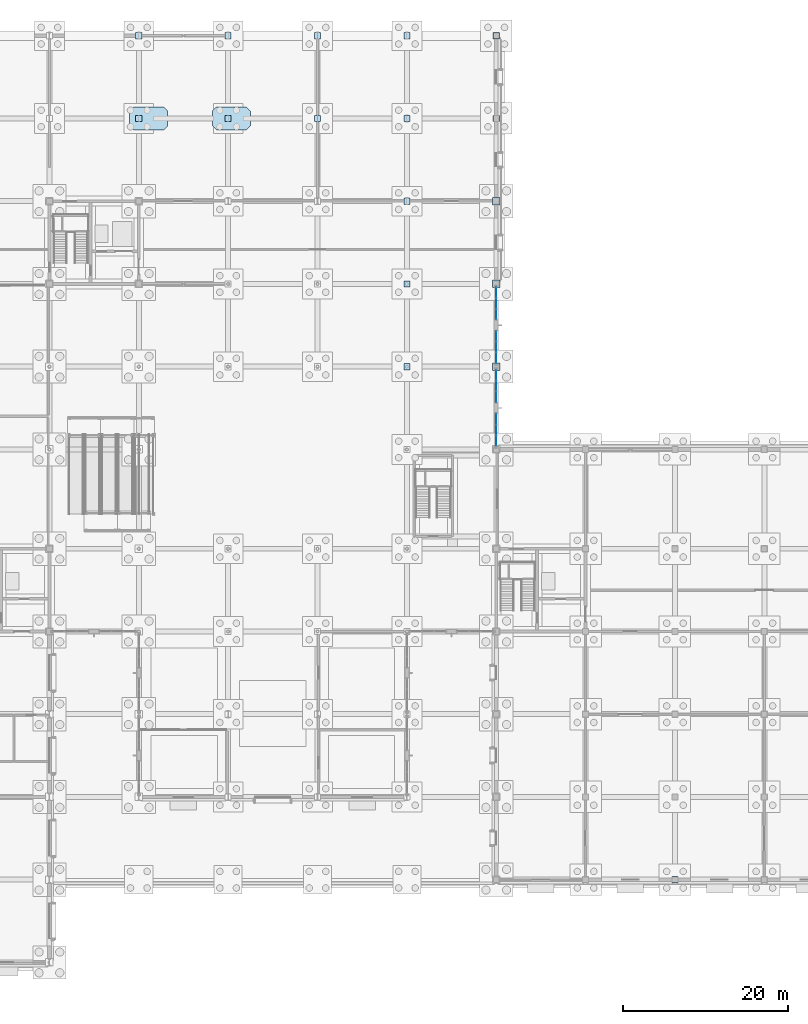
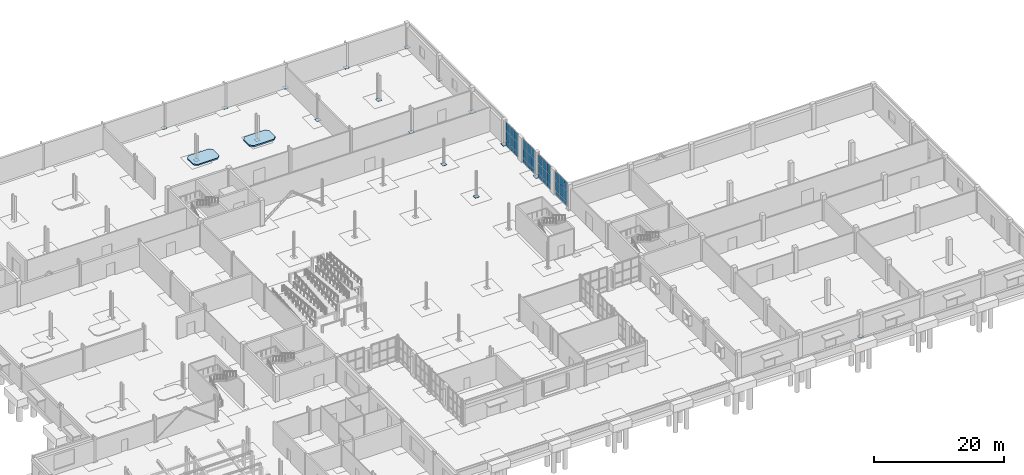
# One storey, part 44 of 73: 53 plates, 2 slabs, 4 elements without a shape of their own.
"""IFC4 building model written with IfcOpenShell, lengths in metres."""

from ifc_helpers import new_model, si_unit, direction, frame, origin, origin_2d, place, context, subcontext, project, spatial, polyline, rectangle, outline, extrude, material, layer, layer_set, type_object, element, aggregate, save


model = new_model("IFC4")

# Units and contexts
model_context = context("Model", 3, precision=1e-05, world=origin(), true_north=direction((0.0, 1.0)))
body_context = subcontext(model_context, "Body", "Model", "MODEL_VIEW")
ifc_project = project(units=[si_unit("LENGTHUNIT", "METRE"), si_unit("AREAUNIT", "SQUARE_METRE"), si_unit("VOLUMEUNIT", "CUBIC_METRE"), si_unit("PLANEANGLEUNIT", "RADIAN"), si_unit("MASSUNIT", "GRAM", prefix="KILO")], contexts=[model_context])

# Site, building, storey
site_placement = place(None, origin())
site = spatial("IfcSite", under=ifc_project, at=site_placement, CompositionType="ELEMENT")
building_placement = place(site_placement, origin())
building = spatial("IfcBuilding", under=site, at=building_placement, Name="Tasgan Crest Museum", CompositionType="ELEMENT")
storey_placement = place(building_placement, origin())
storey = spatial("IfcBuildingStorey", under=building, at=storey_placement, Name="L00", CompositionType="ELEMENT", Elevation=0.0)

# Curtain wall, plates
ifc_material_1 = material(Name="Triple-Glazed Aluminium Curtain Wall", Category="aluminium")
ifc_layer_1 = layer(ifc_material_1, 0.179931640625, Name="CW-DRUM-Y10-48")
ifc_layer_set_1 = layer_set([ifc_layer_1], Name="Triple-Glazed Aluminium Curtain Wall")
curtain_wall_type = type_object("IfcCurtainWallType", Name="CW-DRUM-Y10-48", PredefinedType="NOTDEFINED", material=ifc_layer_set_1)
curtain_wall_1_placement = place(storey_placement, origin())
curtain_wall_1 = element("IfcCurtainWall", 1, at=curtain_wall_1_placement, inside=storey, type_object=curtain_wall_type, Name="Curtain wall L00 013", PredefinedType="NOTDEFINED")
ifc_material_2 = material(Name="Insulated Spandrel Glass", Category="glass")
ifc_layer_2 = layer(ifc_material_2, 0.052001953125, Name="CW-PANEL-SPANDREL")
ifc_layer_set_2 = layer_set([ifc_layer_2], Name="Insulated Spandrel Glass")
plate_type_1 = type_object("IfcPlateType", Name="CW-PANEL-SPANDREL", PredefinedType="CURTAIN_PANEL", material=ifc_layer_set_2)
plate_1_placement = place(storey_placement, frame((108.0, 63.044921875, 0.06005859375), z_axis=(0.0, 0.0, 1.0), x_axis=(0.0, 1.0, 0.0)))
plate_1 = element("IfcPlate", 2, at=plate_1_placement, type_object=plate_type_1, Name="CW04 panel 1.1", PredefinedType="CURTAIN_PANEL", context=body_context, shape_type="SweptSolid", body=[
    extrude(rectangle(XDim=1.239990234375, YDim=0.028076171875, at=origin_2d()), origin(), (0.0, 0.0, 1.0), 0.81005859375),
])
plate_2_placement = place(storey_placement, frame((108.0, 64.360107421875, 0.06005859375), z_axis=(0.0, 0.0, 1.0), x_axis=(0.0, 1.0, 0.0)))
plate_2 = element("IfcPlate", 3, at=plate_2_placement, type_object=plate_type_1, Name="CW04 panel 2.1", PredefinedType="CURTAIN_PANEL", context=body_context, shape_type="SweptSolid", body=[
    extrude(rectangle(XDim=1.27001953125, YDim=0.028076171875, at=origin_2d()), origin(), (0.0, 0.0, 1.0), 0.81005859375),
])
plate_3_placement = place(storey_placement, frame((108.0, 65.675048828125, 0.06005859375), z_axis=(0.0, 0.0, 1.0), x_axis=(0.0, 1.0, 0.0)))
plate_3 = element("IfcPlate", 4, at=plate_3_placement, type_object=plate_type_1, Name="CW04 panel 3.1", PredefinedType="CURTAIN_PANEL", context=body_context, shape_type="SweptSolid", body=[
    extrude(rectangle(XDim=1.239990234375, YDim=0.028076171875, at=origin_2d()), origin(), (0.0, 0.0, 1.0), 0.81005859375),
])

curtain_wall_2_placement = place(storey_placement, origin())
curtain_wall_2 = element("IfcCurtainWall", 5, at=curtain_wall_2_placement, inside=storey, type_object=curtain_wall_type, Name="Curtain wall L00 014", PredefinedType="NOTDEFINED")
plate_4_placement = place(storey_placement, frame((108.0, 68.324951171875, 0.06005859375), z_axis=(0.0, 0.0, 1.0), x_axis=(0.0, 1.0, 0.0)))
plate_4 = element("IfcPlate", 6, at=plate_4_placement, type_object=plate_type_1, Name="CW04 panel 1.1", PredefinedType="CURTAIN_PANEL", context=body_context, shape_type="SweptSolid", body=[
    extrude(rectangle(XDim=1.239990234375, YDim=0.028076171875, at=origin_2d()), origin(), (0.0, 0.0, 1.0), 0.81005859375),
])
plate_5_placement = place(storey_placement, frame((108.0, 69.639892578125, 0.06005859375), z_axis=(0.0, 0.0, 1.0), x_axis=(0.0, 1.0, 0.0)))
plate_5 = element("IfcPlate", 7, at=plate_5_placement, type_object=plate_type_1, Name="CW04 panel 2.1", PredefinedType="CURTAIN_PANEL", context=body_context, shape_type="SweptSolid", body=[
    extrude(rectangle(XDim=1.27001953125, YDim=0.028076171875, at=origin_2d()), origin(), (0.0, 0.0, 1.0), 0.81005859375),
])
plate_6_placement = place(storey_placement, frame((108.0, 70.955078125, 0.06005859375), z_axis=(0.0, 0.0, 1.0), x_axis=(0.0, 1.0, 0.0)))
plate_6 = element("IfcPlate", 8, at=plate_6_placement, type_object=plate_type_1, Name="CW04 panel 3.1", PredefinedType="CURTAIN_PANEL", context=body_context, shape_type="SweptSolid", body=[
    extrude(rectangle(XDim=1.239990234375, YDim=0.028076171875, at=origin_2d()), origin(), (0.0, 0.0, 1.0), 0.81005859375),
])

curtain_wall_3_placement = place(storey_placement, origin())
curtain_wall_3 = element("IfcCurtainWall", 9, at=curtain_wall_3_placement, inside=storey, type_object=curtain_wall_type, Name="Curtain wall L00 015", PredefinedType="NOTDEFINED")
plate_7_placement = place(storey_placement, frame((108.0, 73.044921875, 0.06005859375), z_axis=(0.0, 0.0, 1.0), x_axis=(0.0, 1.0, 0.0)))
plate_7 = element("IfcPlate", 10, at=plate_7_placement, type_object=plate_type_1, Name="CW04 panel 1.1", PredefinedType="CURTAIN_PANEL", context=body_context, shape_type="SweptSolid", body=[
    extrude(rectangle(XDim=1.239990234375, YDim=0.028076171875, at=origin_2d()), origin(), (0.0, 0.0, 1.0), 0.81005859375),
])
plate_8_placement = place(storey_placement, frame((108.0, 74.360107421875, 0.06005859375), z_axis=(0.0, 0.0, 1.0), x_axis=(0.0, 1.0, 0.0)))
plate_8 = element("IfcPlate", 11, at=plate_8_placement, type_object=plate_type_1, Name="CW04 panel 2.1", PredefinedType="CURTAIN_PANEL", context=body_context, shape_type="SweptSolid", body=[
    extrude(rectangle(XDim=1.27001953125, YDim=0.028076171875, at=origin_2d()), origin(), (0.0, 0.0, 1.0), 0.81005859375),
])
plate_9_placement = place(storey_placement, frame((108.0, 75.675048828125, 0.06005859375), z_axis=(0.0, 0.0, 1.0), x_axis=(0.0, 1.0, 0.0)))
plate_9 = element("IfcPlate", 12, at=plate_9_placement, type_object=plate_type_1, Name="CW04 panel 3.1", PredefinedType="CURTAIN_PANEL", context=body_context, shape_type="SweptSolid", body=[
    extrude(rectangle(XDim=1.239990234375, YDim=0.028076171875, at=origin_2d()), origin(), (0.0, 0.0, 1.0), 0.81005859375),
])

curtain_wall_4_placement = place(storey_placement, origin())
curtain_wall_4 = element("IfcCurtainWall", 13, at=curtain_wall_4_placement, inside=storey, type_object=curtain_wall_type, Name="Curtain wall L00 016", PredefinedType="NOTDEFINED")
plate_10_placement = place(storey_placement, frame((108.0, 78.324951171875, 0.06005859375), z_axis=(0.0, 0.0, 1.0), x_axis=(0.0, 1.0, 0.0)))
plate_10 = element("IfcPlate", 14, at=plate_10_placement, type_object=plate_type_1, Name="CW04 panel 1.1", PredefinedType="CURTAIN_PANEL", context=body_context, shape_type="SweptSolid", body=[
    extrude(rectangle(XDim=1.239990234375, YDim=0.028076171875, at=origin_2d()), origin(), (0.0, 0.0, 1.0), 0.81005859375),
])
plate_11_placement = place(storey_placement, frame((108.0, 79.639892578125, 0.06005859375), z_axis=(0.0, 0.0, 1.0), x_axis=(0.0, 1.0, 0.0)))
plate_11 = element("IfcPlate", 15, at=plate_11_placement, type_object=plate_type_1, Name="CW04 panel 2.1", PredefinedType="CURTAIN_PANEL", context=body_context, shape_type="SweptSolid", body=[
    extrude(rectangle(XDim=1.27001953125, YDim=0.028076171875, at=origin_2d()), origin(), (0.0, 0.0, 1.0), 0.81005859375),
])
plate_12_placement = place(storey_placement, frame((108.0, 80.955078125, 0.06005859375), z_axis=(0.0, 0.0, 1.0), x_axis=(0.0, 1.0, 0.0)))
plate_12 = element("IfcPlate", 16, at=plate_12_placement, type_object=plate_type_1, Name="CW04 panel 3.1", PredefinedType="CURTAIN_PANEL", context=body_context, shape_type="SweptSolid", body=[
    extrude(rectangle(XDim=1.239990234375, YDim=0.028076171875, at=origin_2d()), origin(), (0.0, 0.0, 1.0), 0.81005859375),
])

# Plate
ifc_material_3 = material(Name="Low-E Triple Glazing", Category="glass")
ifc_layer_3 = layer(ifc_material_3, 0.0439453125, Name="CW-PANEL-TRIPLE")
ifc_layer_set_3 = layer_set([ifc_layer_3], Name="Low-E Triple Glazing")
plate_type_2 = type_object("IfcPlateType", Name="CW-PANEL-TRIPLE", PredefinedType="CURTAIN_PANEL", material=ifc_layer_set_3)
plate_13_placement = place(storey_placement, frame((108.0, 63.044921875, 0.93017578125), z_axis=(0.0, 0.0, 1.0), x_axis=(0.0, 1.0, 0.0)))
plate_13 = element("IfcPlate", 17, at=plate_13_placement, type_object=plate_type_2, Name="CW04 panel 1.2", PredefinedType="CURTAIN_PANEL", context=body_context, shape_type="SweptSolid", body=[
    extrude(rectangle(XDim=1.239990234375, YDim=0.028076171875, at=origin_2d()), origin(), (0.0, 0.0, 1.0), 1.840087890625),
])

plate_14_placement = place(storey_placement, frame((108.0, 63.044921875, 2.830078125), z_axis=(0.0, 0.0, 1.0), x_axis=(0.0, 1.0, 0.0)))
plate_14 = element("IfcPlate", 18, at=plate_14_placement, type_object=plate_type_2, Name="CW04 panel 1.3", PredefinedType="CURTAIN_PANEL", context=body_context, shape_type="SweptSolid", body=[
    extrude(rectangle(XDim=1.239990234375, YDim=0.028076171875, at=origin_2d()), origin(), (0.0, 0.0, 1.0), 1.669921875),
])

plate_15_placement = place(storey_placement, frame((108.0, 64.360107421875, 0.93017578125), z_axis=(0.0, 0.0, 1.0), x_axis=(0.0, 1.0, 0.0)))
plate_15 = element("IfcPlate", 19, at=plate_15_placement, type_object=plate_type_2, Name="CW04 panel 2.2", PredefinedType="CURTAIN_PANEL", context=body_context, shape_type="SweptSolid", body=[
    extrude(rectangle(XDim=1.27001953125, YDim=0.028076171875, at=origin_2d()), origin(), (0.0, 0.0, 1.0), 1.840087890625),
])

plate_16_placement = place(storey_placement, frame((108.0, 64.360107421875, 2.830078125), z_axis=(0.0, 0.0, 1.0), x_axis=(0.0, 1.0, 0.0)))
plate_16 = element("IfcPlate", 20, at=plate_16_placement, type_object=plate_type_2, Name="CW04 panel 2.3", PredefinedType="CURTAIN_PANEL", context=body_context, shape_type="SweptSolid", body=[
    extrude(rectangle(XDim=1.27001953125, YDim=0.028076171875, at=origin_2d()), origin(), (0.0, 0.0, 1.0), 1.669921875),
])

plate_17_placement = place(storey_placement, frame((108.0, 65.675048828125, 0.93017578125), z_axis=(0.0, 0.0, 1.0), x_axis=(0.0, 1.0, 0.0)))
plate_17 = element("IfcPlate", 21, at=plate_17_placement, type_object=plate_type_2, Name="CW04 panel 3.2", PredefinedType="CURTAIN_PANEL", context=body_context, shape_type="SweptSolid", body=[
    extrude(rectangle(XDim=1.239990234375, YDim=0.028076171875, at=origin_2d()), origin(), (0.0, 0.0, 1.0), 1.840087890625),
])

plate_18_placement = place(storey_placement, frame((108.0, 65.675048828125, 2.830078125), z_axis=(0.0, 0.0, 1.0), x_axis=(0.0, 1.0, 0.0)))
plate_18 = element("IfcPlate", 22, at=plate_18_placement, type_object=plate_type_2, Name="CW04 panel 3.3", PredefinedType="CURTAIN_PANEL", context=body_context, shape_type="SweptSolid", body=[
    extrude(rectangle(XDim=1.239990234375, YDim=0.028076171875, at=origin_2d()), origin(), (0.0, 0.0, 1.0), 1.669921875),
])

aggregate(curtain_wall_1, [plate_1, plate_13, plate_14, plate_2, plate_15, plate_16, plate_3, plate_17, plate_18])

plate_19_placement = place(storey_placement, frame((108.0, 68.324951171875, 0.93017578125), z_axis=(0.0, 0.0, 1.0), x_axis=(0.0, 1.0, 0.0)))
plate_19 = element("IfcPlate", 23, at=plate_19_placement, type_object=plate_type_2, Name="CW04 panel 1.2", PredefinedType="CURTAIN_PANEL", context=body_context, shape_type="SweptSolid", body=[
    extrude(rectangle(XDim=1.239990234375, YDim=0.028076171875, at=origin_2d()), origin(), (0.0, 0.0, 1.0), 1.840087890625),
])

plate_20_placement = place(storey_placement, frame((108.0, 68.324951171875, 2.830078125), z_axis=(0.0, 0.0, 1.0), x_axis=(0.0, 1.0, 0.0)))
plate_20 = element("IfcPlate", 24, at=plate_20_placement, type_object=plate_type_2, Name="CW04 panel 1.3", PredefinedType="CURTAIN_PANEL", context=body_context, shape_type="SweptSolid", body=[
    extrude(rectangle(XDim=1.239990234375, YDim=0.028076171875, at=origin_2d()), origin(), (0.0, 0.0, 1.0), 1.669921875),
])

plate_21_placement = place(storey_placement, frame((108.0, 69.639892578125, 0.93017578125), z_axis=(0.0, 0.0, 1.0), x_axis=(0.0, 1.0, 0.0)))
plate_21 = element("IfcPlate", 25, at=plate_21_placement, type_object=plate_type_2, Name="CW04 panel 2.2", PredefinedType="CURTAIN_PANEL", context=body_context, shape_type="SweptSolid", body=[
    extrude(rectangle(XDim=1.27001953125, YDim=0.028076171875, at=origin_2d()), origin(), (0.0, 0.0, 1.0), 1.840087890625),
])

plate_22_placement = place(storey_placement, frame((108.0, 69.639892578125, 2.830078125), z_axis=(0.0, 0.0, 1.0), x_axis=(0.0, 1.0, 0.0)))
plate_22 = element("IfcPlate", 26, at=plate_22_placement, type_object=plate_type_2, Name="CW04 panel 2.3", PredefinedType="CURTAIN_PANEL", context=body_context, shape_type="SweptSolid", body=[
    extrude(rectangle(XDim=1.27001953125, YDim=0.028076171875, at=origin_2d()), origin(), (0.0, 0.0, 1.0), 1.669921875),
])

plate_23_placement = place(storey_placement, frame((108.0, 70.955078125, 0.93017578125), z_axis=(0.0, 0.0, 1.0), x_axis=(0.0, 1.0, 0.0)))
plate_23 = element("IfcPlate", 27, at=plate_23_placement, type_object=plate_type_2, Name="CW04 panel 3.2", PredefinedType="CURTAIN_PANEL", context=body_context, shape_type="SweptSolid", body=[
    extrude(rectangle(XDim=1.239990234375, YDim=0.028076171875, at=origin_2d()), origin(), (0.0, 0.0, 1.0), 1.840087890625),
])

plate_24_placement = place(storey_placement, frame((108.0, 70.955078125, 2.830078125), z_axis=(0.0, 0.0, 1.0), x_axis=(0.0, 1.0, 0.0)))
plate_24 = element("IfcPlate", 28, at=plate_24_placement, type_object=plate_type_2, Name="CW04 panel 3.3", PredefinedType="CURTAIN_PANEL", context=body_context, shape_type="SweptSolid", body=[
    extrude(rectangle(XDim=1.239990234375, YDim=0.028076171875, at=origin_2d()), origin(), (0.0, 0.0, 1.0), 1.669921875),
])

aggregate(curtain_wall_2, [plate_4, plate_19, plate_20, plate_5, plate_21, plate_22, plate_6, plate_23, plate_24])

plate_25_placement = place(storey_placement, frame((108.0, 73.044921875, 0.93017578125), z_axis=(0.0, 0.0, 1.0), x_axis=(0.0, 1.0, 0.0)))
plate_25 = element("IfcPlate", 29, at=plate_25_placement, type_object=plate_type_2, Name="CW04 panel 1.2", PredefinedType="CURTAIN_PANEL", context=body_context, shape_type="SweptSolid", body=[
    extrude(rectangle(XDim=1.239990234375, YDim=0.028076171875, at=origin_2d()), origin(), (0.0, 0.0, 1.0), 1.840087890625),
])

plate_26_placement = place(storey_placement, frame((108.0, 73.044921875, 2.830078125), z_axis=(0.0, 0.0, 1.0), x_axis=(0.0, 1.0, 0.0)))
plate_26 = element("IfcPlate", 30, at=plate_26_placement, type_object=plate_type_2, Name="CW04 panel 1.3", PredefinedType="CURTAIN_PANEL", context=body_context, shape_type="SweptSolid", body=[
    extrude(rectangle(XDim=1.239990234375, YDim=0.028076171875, at=origin_2d()), origin(), (0.0, 0.0, 1.0), 1.669921875),
])

plate_27_placement = place(storey_placement, frame((108.0, 74.360107421875, 0.93017578125), z_axis=(0.0, 0.0, 1.0), x_axis=(0.0, 1.0, 0.0)))
plate_27 = element("IfcPlate", 31, at=plate_27_placement, type_object=plate_type_2, Name="CW04 panel 2.2", PredefinedType="CURTAIN_PANEL", context=body_context, shape_type="SweptSolid", body=[
    extrude(rectangle(XDim=1.27001953125, YDim=0.028076171875, at=origin_2d()), origin(), (0.0, 0.0, 1.0), 1.840087890625),
])

plate_28_placement = place(storey_placement, frame((108.0, 74.360107421875, 2.830078125), z_axis=(0.0, 0.0, 1.0), x_axis=(0.0, 1.0, 0.0)))
plate_28 = element("IfcPlate", 32, at=plate_28_placement, type_object=plate_type_2, Name="CW04 panel 2.3", PredefinedType="CURTAIN_PANEL", context=body_context, shape_type="SweptSolid", body=[
    extrude(rectangle(XDim=1.27001953125, YDim=0.028076171875, at=origin_2d()), origin(), (0.0, 0.0, 1.0), 1.669921875),
])

plate_29_placement = place(storey_placement, frame((108.0, 75.675048828125, 0.93017578125), z_axis=(0.0, 0.0, 1.0), x_axis=(0.0, 1.0, 0.0)))
plate_29 = element("IfcPlate", 33, at=plate_29_placement, type_object=plate_type_2, Name="CW04 panel 3.2", PredefinedType="CURTAIN_PANEL", context=body_context, shape_type="SweptSolid", body=[
    extrude(rectangle(XDim=1.239990234375, YDim=0.028076171875, at=origin_2d()), origin(), (0.0, 0.0, 1.0), 1.840087890625),
])

plate_30_placement = place(storey_placement, frame((108.0, 75.675048828125, 2.830078125), z_axis=(0.0, 0.0, 1.0), x_axis=(0.0, 1.0, 0.0)))
plate_30 = element("IfcPlate", 34, at=plate_30_placement, type_object=plate_type_2, Name="CW04 panel 3.3", PredefinedType="CURTAIN_PANEL", context=body_context, shape_type="SweptSolid", body=[
    extrude(rectangle(XDim=1.239990234375, YDim=0.028076171875, at=origin_2d()), origin(), (0.0, 0.0, 1.0), 1.669921875),
])

aggregate(curtain_wall_3, [plate_7, plate_25, plate_26, plate_8, plate_27, plate_28, plate_9, plate_29, plate_30])

plate_31_placement = place(storey_placement, frame((108.0, 78.324951171875, 0.93017578125), z_axis=(0.0, 0.0, 1.0), x_axis=(0.0, 1.0, 0.0)))
plate_31 = element("IfcPlate", 35, at=plate_31_placement, type_object=plate_type_2, Name="CW04 panel 1.2", PredefinedType="CURTAIN_PANEL", context=body_context, shape_type="SweptSolid", body=[
    extrude(rectangle(XDim=1.239990234375, YDim=0.028076171875, at=origin_2d()), origin(), (0.0, 0.0, 1.0), 1.840087890625),
])

plate_32_placement = place(storey_placement, frame((108.0, 78.324951171875, 2.830078125), z_axis=(0.0, 0.0, 1.0), x_axis=(0.0, 1.0, 0.0)))
plate_32 = element("IfcPlate", 36, at=plate_32_placement, type_object=plate_type_2, Name="CW04 panel 1.3", PredefinedType="CURTAIN_PANEL", context=body_context, shape_type="SweptSolid", body=[
    extrude(rectangle(XDim=1.239990234375, YDim=0.028076171875, at=origin_2d()), origin(), (0.0, 0.0, 1.0), 1.669921875),
])

plate_33_placement = place(storey_placement, frame((108.0, 79.639892578125, 0.93017578125), z_axis=(0.0, 0.0, 1.0), x_axis=(0.0, 1.0, 0.0)))
plate_33 = element("IfcPlate", 37, at=plate_33_placement, type_object=plate_type_2, Name="CW04 panel 2.2", PredefinedType="CURTAIN_PANEL", context=body_context, shape_type="SweptSolid", body=[
    extrude(rectangle(XDim=1.27001953125, YDim=0.028076171875, at=origin_2d()), origin(), (0.0, 0.0, 1.0), 1.840087890625),
])

plate_34_placement = place(storey_placement, frame((108.0, 79.639892578125, 2.830078125), z_axis=(0.0, 0.0, 1.0), x_axis=(0.0, 1.0, 0.0)))
plate_34 = element("IfcPlate", 38, at=plate_34_placement, type_object=plate_type_2, Name="CW04 panel 2.3", PredefinedType="CURTAIN_PANEL", context=body_context, shape_type="SweptSolid", body=[
    extrude(rectangle(XDim=1.27001953125, YDim=0.028076171875, at=origin_2d()), origin(), (0.0, 0.0, 1.0), 1.669921875),
])

plate_35_placement = place(storey_placement, frame((108.0, 80.955078125, 0.93017578125), z_axis=(0.0, 0.0, 1.0), x_axis=(0.0, 1.0, 0.0)))
plate_35 = element("IfcPlate", 39, at=plate_35_placement, type_object=plate_type_2, Name="CW04 panel 3.2", PredefinedType="CURTAIN_PANEL", context=body_context, shape_type="SweptSolid", body=[
    extrude(rectangle(XDim=1.239990234375, YDim=0.028076171875, at=origin_2d()), origin(), (0.0, 0.0, 1.0), 1.840087890625),
])

plate_36_placement = place(storey_placement, frame((108.0, 80.955078125, 2.830078125), z_axis=(0.0, 0.0, 1.0), x_axis=(0.0, 1.0, 0.0)))
plate_36 = element("IfcPlate", 40, at=plate_36_placement, type_object=plate_type_2, Name="CW04 panel 3.3", PredefinedType="CURTAIN_PANEL", context=body_context, shape_type="SweptSolid", body=[
    extrude(rectangle(XDim=1.239990234375, YDim=0.028076171875, at=origin_2d()), origin(), (0.0, 0.0, 1.0), 1.669921875),
])

aggregate(curtain_wall_4, [plate_10, plate_31, plate_32, plate_11, plate_33, plate_34, plate_12, plate_35, plate_36])

# Plates
ifc_material_4 = material(Name="Steel S355K2", Category="steel")
ifc_layer_4 = layer(ifc_material_4, 0.75, Name="PL-BASE-750")
ifc_layer_set_4 = layer_set([ifc_layer_4], Name="Steel S355K2")
plate_type_3 = type_object("IfcPlateType", Name="PL-BASE-750", PredefinedType="USERDEFINED", material=ifc_layer_set_4)
for number, where, z_axis, x_axis, name in (
    (41, (64.800048828125, 102.0, 0.0), (0.0, 0.0, 1.0), (1.0, 0.0, 0.0), "Base plate 7/L"),
    (42, (64.800048828125, 112.0, 0.0), (0.0, 0.0, 1.0), (1.0, 0.0, 0.0), "Base plate 7/M"),
    (43, (75.60009765625, 102.0, 0.0), (0.0, 0.0, 1.0), (1.0, 0.0, 0.0), "Base plate 8/L"),
    (44, (75.60009765625, 112.0, 0.0), (0.0, 0.0, 1.0), (1.0, 0.0, 0.0), "Base plate 8/M"),
    (45, (86.39990234375, 102.0, 0.0), (0.0, 0.0, 1.0), (1.0, 0.0, 0.0), "Base plate 9/L"),
    (46, (86.39990234375, 112.0, 0.0), (0.0, 0.0, 1.0), (1.0, 0.0, 0.0), "Base plate 9/M"),
    (47, (97.199951171875, 72.0, 0.0), (0.0, 0.0, 1.0), (1.0, 0.0, 0.0), "Base plate 10/H"),
    (48, (97.199951171875, 82.0, 0.0), (0.0, 0.0, 1.0), (1.0, 0.0, 0.0), "Base plate 10/J"),
    (49, (97.199951171875, 92.0, 0.0), (0.0, 0.0, 1.0), (1.0, 0.0, 0.0), "Base plate 10/K"),
    (50, (97.199951171875, 102.0, 0.0), (0.0, 0.0, 1.0), (1.0, 0.0, 0.0), "Base plate 10/L"),
    (51, (97.199951171875, 112.0, 0.0), (0.0, 0.0, 1.0), (1.0, 0.0, 0.0), "Base plate 10/M"),
    (52, (108.0, 102.0, 0.0), (0.0, 0.0, 1.0), (1.0, 0.0, 0.0), "Base plate 11/L"),
    (53, (108.0, 112.0, 0.0), (0.0, 0.0, 1.0), (1.0, 0.0, 0.0), "Base plate 11/M"),
    (54, (129.60009765625, 10.0, 0.0), (0.0, 0.0, 1.0), (1.0, 0.0, 0.0), "Base plate 13/B"),
):
    element("IfcPlate", number, at=place(storey_placement, frame(where, z_axis=z_axis, x_axis=x_axis)), inside=storey, type_object=plate_type_3, Name=name, ObjectType="BASE PLATE", PredefinedType="USERDEFINED", context=body_context, shape_type="SweptSolid", body=[
        extrude(rectangle(XDim=0.75, YDim=0.75, at=origin_2d()), origin(), (0.0, 0.0, 1.0), 0.031982421875),
    ])
ifc_material_5 = material(Name="Steel S355K2", Category="steel")
ifc_layer_5 = layer(ifc_material_5, 0.89990234375, Name="PL-BASE-900")
ifc_layer_set_5 = layer_set([ifc_layer_5], Name="Steel S355K2")
plate_type_4 = type_object("IfcPlateType", Name="PL-BASE-900", PredefinedType="USERDEFINED", material=ifc_layer_set_5)
for number, where, z_axis, x_axis, name in (
    (55, (108.0, 72.0, 0.0), (0.0, 0.0, 1.0), (1.0, 0.0, 0.0), "Base plate 11/H"),
    (56, (108.0, 82.0, 0.0), (0.0, 0.0, 1.0), (1.0, 0.0, 0.0), "Base plate 11/J"),
    (57, (108.0, 92.0, 0.0), (0.0, 0.0, 1.0), (1.0, 0.0, 0.0), "Base plate 11/K"),
):
    element("IfcPlate", number, at=place(storey_placement, frame(where, z_axis=z_axis, x_axis=x_axis)), inside=storey, type_object=plate_type_4, Name=name, ObjectType="BASE PLATE", PredefinedType="USERDEFINED", context=body_context, shape_type="SweptSolid", body=[
        extrude(rectangle(XDim=0.89990234375, YDim=0.89990234375, at=origin_2d()), origin(), (0.0, 0.0, 1.0), 0.035888671875),
    ])

# Slabs
ifc_material_6 = material(Name="Concrete C35/45", Category="concrete")
ifc_layer_6 = layer(ifc_material_6, 0.22998046875, Name="SL-DAIS-T07")
ifc_layer_set_6 = layer_set([ifc_layer_6], Name="Concrete C35/45")
slab_type_1 = type_object("IfcSlabType", Name="SL-DAIS-T07", PredefinedType="FLOOR", material=ifc_layer_set_6)
slab_1_placement = place(storey_placement, origin())
element("IfcSlab", 58, at=slab_1_placement, inside=storey, type_object=slab_type_1, Name="Exhibition specimen dais L00-07", PredefinedType="FLOOR", context=body_context, shape_type="SweptSolid", body=[
    extrude(outline(polyline([(64.199951171875, 100.60009765625), (67.800048828125, 100.60009765625), (68.300048828125, 101.10009765625), (68.300048828125, 102.89990234375), (67.800048828125, 103.39990234375), (64.199951171875, 103.39990234375), (63.699951171875, 102.89990234375), (63.699951171875, 101.10009765625), (64.199951171875, 100.60009765625)])), origin(), (0.0, 0.0, 1.0), 0.22998046875),
])
ifc_material_7 = material(Name="Concrete C35/45", Category="concrete")
ifc_layer_7 = layer(ifc_material_7, 0.27001953125, Name="SL-DAIS-T08")
ifc_layer_set_7 = layer_set([ifc_layer_7], Name="Concrete C35/45")
slab_type_2 = type_object("IfcSlabType", Name="SL-DAIS-T08", PredefinedType="FLOOR", material=ifc_layer_set_7)
slab_2_placement = place(storey_placement, origin())
element("IfcSlab", 59, at=slab_2_placement, inside=storey, type_object=slab_type_2, Name="Exhibition specimen dais L00-08", PredefinedType="FLOOR", context=body_context, shape_type="SweptSolid", body=[
    extrude(outline(polyline([(74.199951171875, 100.60009765625), (77.800048828125, 100.60009765625), (78.300048828125, 101.10009765625), (78.300048828125, 102.89990234375), (77.800048828125, 103.39990234375), (74.199951171875, 103.39990234375), (73.699951171875, 102.89990234375), (73.699951171875, 101.10009765625), (74.199951171875, 100.60009765625)])), origin(), (0.0, 0.0, 1.0), 0.27001953125),
])

save(model, "model.ifc")
